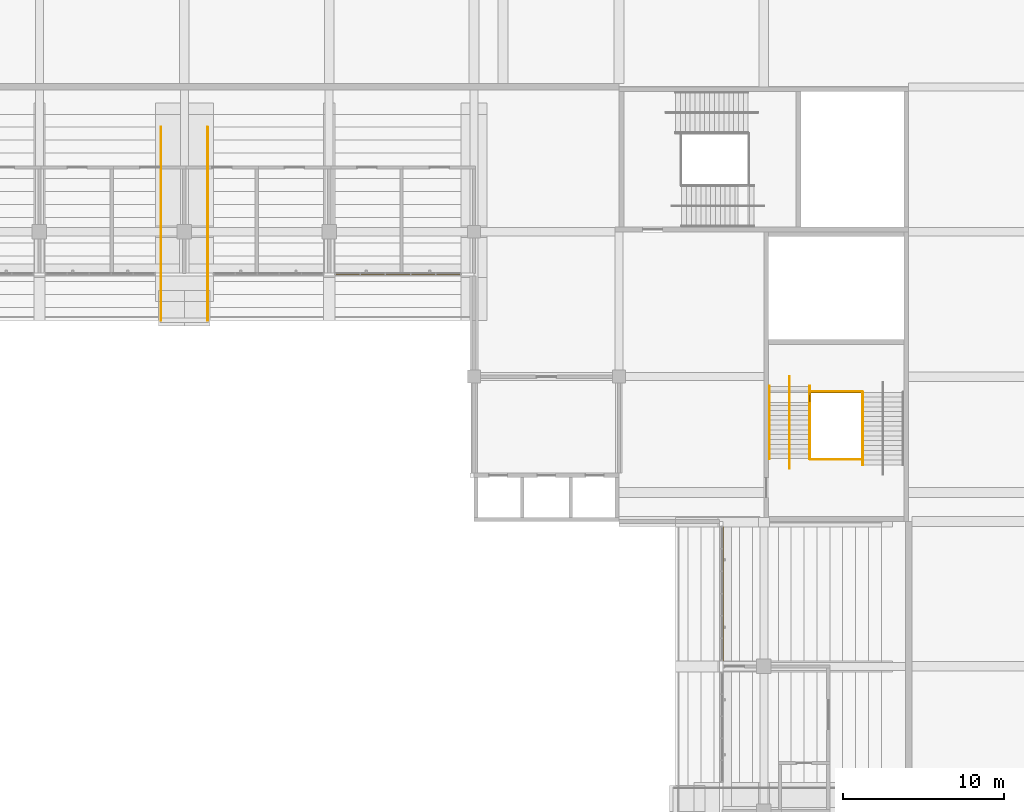
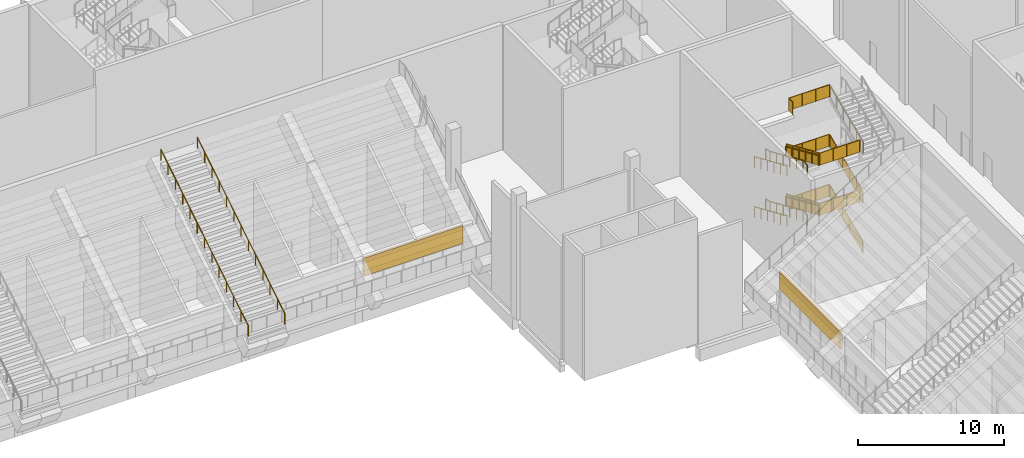
# One storey, part 164 of 182: 20 railings, 2 coverings.
"""IFC4 building model written with IfcOpenShell, lengths in metres."""

from ifc_helpers import new_model, si_unit, direction, frame, origin, origin_2d, place, context, subcontext, project, spatial, polyline, circle, outline, extrude, material, layer, layer_set, type_object, element, save


model = new_model("IFC4")

# Units and contexts
model_context = context("Model", 3, precision=1e-05, world=origin(), true_north=direction((0.0, 1.0)))
body_context = subcontext(model_context, "Body", "Model", "MODEL_VIEW")
ifc_project = project(units=[si_unit("LENGTHUNIT", "METRE"), si_unit("AREAUNIT", "SQUARE_METRE"), si_unit("VOLUMEUNIT", "CUBIC_METRE"), si_unit("PLANEANGLEUNIT", "RADIAN"), si_unit("MASSUNIT", "GRAM", prefix="KILO")], contexts=[model_context])

# Site, building, storey
site_placement = place(None, origin())
site = spatial("IfcSite", under=ifc_project, at=site_placement, CompositionType="ELEMENT")
building_placement = place(site_placement, origin())
building = spatial("IfcBuilding", under=site, at=building_placement, Name="Silverbay Arena", CompositionType="ELEMENT")
storey_placement = place(building_placement, frame((0.0, 0.0, 11.5)))
storey = spatial("IfcBuildingStorey", under=building, at=storey_placement, Name="L02", CompositionType="ELEMENT", Elevation=11.5)

# Railings
ifc_material_1 = material(Name="Stainless steel", Category="steel")
railing_type_1 = type_object("IfcRailingType", Name="Stair guard 1100", PredefinedType="GUARDRAIL", material=ifc_material_1)
railing_1_placement = place(storey_placement, frame((186.125, 102.52587890625, 0.13134765625)))
element("IfcRailing", 1, at=railing_1_placement, inside=storey, type_object=railing_type_1, Name="Stair ST-NE2 L02 to L03 flight 1 guard left", PredefinedType="GUARDRAIL", context=body_context, shape_type="SweptSolid", body=[
    extrude(circle(Radius=0.02392578125, at=origin_2d()), frame((0.0, 0.0, 1.076171875), z_axis=(0.0, 0.916157334902, 0.40081883402), x_axis=(-1.0, 0.0, 0.0)), (0.0, 0.0, 1.0), 4.911865234375),
    extrude(outline(polyline([(-0.008056640625, 0.04638671875), (0.907958984375, 0.447265625), (0.907958984375, 1.4501953125), (-0.008056640625, 1.049560546875), (-0.008056640625, 0.04638671875)])), frame((-0.0029296875, 0.0, 0.0), z_axis=(1.0, 0.0, 0.0), x_axis=(0.0, 1.0, 0.0)), (0.0, 0.0, 1.0), 0.006103515625),
    extrude(outline(polyline([(-0.008056640625, 0.440185546875), (0.907958984375, 0.841064453125), (0.907958984375, 1.843994140625), (-0.008056640625, 1.443359375), (-0.008056640625, 0.440185546875)])), frame((-0.0029296875, 0.89990234375, 0.0), z_axis=(1.0, 0.0, 0.0), x_axis=(0.0, 1.0, 0.0)), (0.0, 0.0, 1.0), 0.006103515625),
    extrude(outline(polyline([(-0.008056640625, 0.833984375), (0.907958984375, 1.23486328125), (0.907958984375, 2.23779296875), (-0.008056640625, 1.8369140625), (-0.008056640625, 0.833984375)])), frame((-0.0029296875, 1.800048828125, 0.0), z_axis=(1.0, 0.0, 0.0), x_axis=(0.0, 1.0, 0.0)), (0.0, 0.0, 1.0), 0.006103515625),
    extrude(outline(polyline([(-0.008056640625, 1.227783203125), (0.907958984375, 1.62841796875), (0.907958984375, 2.631591796875), (-0.008056640625, 2.230712890625), (-0.008056640625, 1.227783203125)])), frame((-0.0029296875, 2.699951171875, 0.0), z_axis=(1.0, 0.0, 0.0), x_axis=(0.0, 1.0, 0.0)), (0.0, 0.0, 1.0), 0.006103515625),
    extrude(outline(polyline([(-0.008056640625, 1.62158203125), (0.907958984375, 2.022216796875), (0.907958984375, 3.025146484375), (-0.008056640625, 2.62451171875), (-0.008056640625, 1.62158203125)])), frame((-0.0029296875, 3.60009765625, 0.0), z_axis=(1.0, 0.0, 0.0), x_axis=(0.0, 1.0, 0.0)), (0.0, 0.0, 1.0), 0.006103515625),
    extrude(circle(Radius=0.02099609375, at=origin_2d()), origin(), (0.0, 0.0, 1.0), 1.052001953125),
    extrude(circle(Radius=0.02099609375, at=origin_2d()), frame((0.0, 0.89990234375, 0.393798828125)), (0.0, 0.0, 1.0), 1.052001953125),
    extrude(circle(Radius=0.02099609375, at=origin_2d()), frame((0.0, 1.800048828125, 0.78759765625)), (0.0, 0.0, 1.0), 1.052001953125),
    extrude(circle(Radius=0.02099609375, at=origin_2d()), frame((0.0, 2.699951171875, 1.18115234375)), (0.0, 0.0, 1.0), 1.052001953125),
    extrude(circle(Radius=0.02099609375, at=origin_2d()), frame((0.0, 3.60009765625, 1.574951171875)), (0.0, 0.0, 1.0), 1.052001953125),
    extrude(circle(Radius=0.02099609375, at=origin_2d()), frame((0.0, 4.5, 1.96875)), (0.0, 0.0, 1.0), 1.052001953125),
])
railing_2_placement = place(storey_placement, frame((182.875, 107.39990234375, 2.231201171875)))
element("IfcRailing", 2, at=railing_2_placement, inside=storey, type_object=railing_type_1, Name="Stair ST-NE2 L02 to L03 flight 2 guard right", PredefinedType="GUARDRAIL", context=body_context, shape_type="SweptSolid", body=[
    extrude(circle(Radius=0.02392578125, at=origin_2d()), frame((0.0, 0.0, 1.076171875), z_axis=(0.0, -0.916157334902, 0.40081883402), x_axis=(1.0, 0.0, 0.0)), (0.0, 0.0, 1.0), 4.911865234375),
    extrude(outline(polyline([(-0.008056640625, 0.04638671875), (0.907958984375, 0.447265625), (0.907958984375, 1.4501953125), (-0.008056640625, 1.049560546875), (-0.008056640625, 0.04638671875)])), frame((0.0029296875, 0.0, 0.0), z_axis=(-1.0, 0.0, 0.0), x_axis=(0.0, -1.0, 0.0)), (0.0, 0.0, 1.0), 0.006103515625),
    extrude(outline(polyline([(-0.008056640625, 0.440185546875), (0.907958984375, 0.841064453125), (0.907958984375, 1.843994140625), (-0.008056640625, 1.443359375), (-0.008056640625, 0.440185546875)])), frame((0.0029296875, -0.89990234375, 0.0), z_axis=(-1.0, 0.0, 0.0), x_axis=(0.0, -1.0, 0.0)), (0.0, 0.0, 1.0), 0.006103515625),
    extrude(outline(polyline([(-0.008056640625, 0.833984375), (0.907958984375, 1.23486328125), (0.907958984375, 2.23779296875), (-0.008056640625, 1.8369140625), (-0.008056640625, 0.833984375)])), frame((0.0029296875, -1.800048828125, 0.0), z_axis=(-1.0, 0.0, 0.0), x_axis=(0.0, -1.0, 0.0)), (0.0, 0.0, 1.0), 0.006103515625),
    extrude(outline(polyline([(-0.008056640625, 1.227783203125), (0.907958984375, 1.62841796875), (0.907958984375, 2.631591796875), (-0.008056640625, 2.230712890625), (-0.008056640625, 1.227783203125)])), frame((0.0029296875, -2.699951171875, 0.0), z_axis=(-1.0, 0.0, 0.0), x_axis=(0.0, -1.0, 0.0)), (0.0, 0.0, 1.0), 0.006103515625),
    extrude(outline(polyline([(-0.008056640625, 1.62158203125), (0.907958984375, 2.022216796875), (0.907958984375, 3.025146484375), (-0.008056640625, 2.62451171875), (-0.008056640625, 1.62158203125)])), frame((0.0029296875, -3.60009765625, 0.0), z_axis=(-1.0, 0.0, 0.0), x_axis=(0.0, -1.0, 0.0)), (0.0, 0.0, 1.0), 0.006103515625),
    extrude(circle(Radius=0.02099609375, at=origin_2d()), origin(), (0.0, 0.0, 1.0), 1.052001953125),
    extrude(circle(Radius=0.02099609375, at=origin_2d()), frame((0.0, -0.89990234375, 0.393798828125)), (0.0, 0.0, 1.0), 1.052001953125),
    extrude(circle(Radius=0.02099609375, at=origin_2d()), frame((0.0, -1.800048828125, 0.78759765625)), (0.0, 0.0, 1.0), 1.052001953125),
    extrude(circle(Radius=0.02099609375, at=origin_2d()), frame((0.0, -2.699951171875, 1.18115234375)), (0.0, 0.0, 1.0), 1.052001953125),
    extrude(circle(Radius=0.02099609375, at=origin_2d()), frame((0.0, -3.60009765625, 1.574951171875)), (0.0, 0.0, 1.0), 1.052001953125),
    extrude(circle(Radius=0.02099609375, at=origin_2d()), frame((0.0, -4.5, 1.96875)), (0.0, 0.0, 1.0), 1.052001953125),
])
railing_3_placement = place(storey_placement, frame((186.125, 102.52587890625, 4.331298828125)))
element("IfcRailing", 3, at=railing_3_placement, inside=storey, type_object=railing_type_1, Name="Stair ST-NE2 L02 to L03 flight 3 guard left", PredefinedType="GUARDRAIL", context=body_context, shape_type="SweptSolid", body=[
    extrude(circle(Radius=0.02392578125, at=origin_2d()), frame((0.0, 0.0, 1.076171875), z_axis=(0.0, 0.916157334902, 0.40081883402), x_axis=(-1.0, 0.0, 0.0)), (0.0, 0.0, 1.0), 4.911865234375),
    extrude(outline(polyline([(-0.008056640625, 0.04638671875), (0.907958984375, 0.447265625), (0.907958984375, 1.4501953125), (-0.008056640625, 1.049560546875), (-0.008056640625, 0.04638671875)])), frame((-0.0029296875, 0.0, 0.0), z_axis=(1.0, 0.0, 0.0), x_axis=(0.0, 1.0, 0.0)), (0.0, 0.0, 1.0), 0.006103515625),
    extrude(outline(polyline([(-0.008056640625, 0.440185546875), (0.907958984375, 0.841064453125), (0.907958984375, 1.843994140625), (-0.008056640625, 1.443359375), (-0.008056640625, 0.440185546875)])), frame((-0.0029296875, 0.89990234375, 0.0), z_axis=(1.0, 0.0, 0.0), x_axis=(0.0, 1.0, 0.0)), (0.0, 0.0, 1.0), 0.006103515625),
    extrude(outline(polyline([(-0.008056640625, 0.833984375), (0.907958984375, 1.23486328125), (0.907958984375, 2.23779296875), (-0.008056640625, 1.8369140625), (-0.008056640625, 0.833984375)])), frame((-0.0029296875, 1.800048828125, 0.0), z_axis=(1.0, 0.0, 0.0), x_axis=(0.0, 1.0, 0.0)), (0.0, 0.0, 1.0), 0.006103515625),
    extrude(outline(polyline([(-0.008056640625, 1.227783203125), (0.907958984375, 1.62841796875), (0.907958984375, 2.631591796875), (-0.008056640625, 2.230712890625), (-0.008056640625, 1.227783203125)])), frame((-0.0029296875, 2.699951171875, 0.0), z_axis=(1.0, 0.0, 0.0), x_axis=(0.0, 1.0, 0.0)), (0.0, 0.0, 1.0), 0.006103515625),
    extrude(outline(polyline([(-0.008056640625, 1.62158203125), (0.907958984375, 2.022216796875), (0.907958984375, 3.025146484375), (-0.008056640625, 2.62451171875), (-0.008056640625, 1.62158203125)])), frame((-0.0029296875, 3.60009765625, 0.0), z_axis=(1.0, 0.0, 0.0), x_axis=(0.0, 1.0, 0.0)), (0.0, 0.0, 1.0), 0.006103515625),
    extrude(circle(Radius=0.02099609375, at=origin_2d()), origin(), (0.0, 0.0, 1.0), 1.052001953125),
    extrude(circle(Radius=0.02099609375, at=origin_2d()), frame((0.0, 0.89990234375, 0.393798828125)), (0.0, 0.0, 1.0), 1.052001953125),
    extrude(circle(Radius=0.02099609375, at=origin_2d()), frame((0.0, 1.800048828125, 0.78759765625)), (0.0, 0.0, 1.0), 1.052001953125),
    extrude(circle(Radius=0.02099609375, at=origin_2d()), frame((0.0, 2.699951171875, 1.18115234375)), (0.0, 0.0, 1.0), 1.052001953125),
    extrude(circle(Radius=0.02099609375, at=origin_2d()), frame((0.0, 3.60009765625, 1.574951171875)), (0.0, 0.0, 1.0), 1.052001953125),
    extrude(circle(Radius=0.02099609375, at=origin_2d()), frame((0.0, 4.5, 1.96875)), (0.0, 0.0, 1.0), 1.052001953125),
])
railing_4_placement = place(storey_placement, frame((182.875, 107.39990234375, 6.43115234375)))
element("IfcRailing", 4, at=railing_4_placement, inside=storey, type_object=railing_type_1, Name="Stair ST-NE2 L02 to L03 flight 4 guard right", PredefinedType="GUARDRAIL", context=body_context, shape_type="SweptSolid", body=[
    extrude(circle(Radius=0.02392578125, at=origin_2d()), frame((0.0, 0.0, 1.076171875), z_axis=(0.0, -0.916157334902, 0.40081883402), x_axis=(1.0, 0.0, 0.0)), (0.0, 0.0, 1.0), 4.911865234375),
    extrude(outline(polyline([(-0.008056640625, 0.04638671875), (0.907958984375, 0.447265625), (0.907958984375, 1.4501953125), (-0.008056640625, 1.049560546875), (-0.008056640625, 0.04638671875)])), frame((0.0029296875, 0.0, 0.0), z_axis=(-1.0, 0.0, 0.0), x_axis=(0.0, -1.0, 0.0)), (0.0, 0.0, 1.0), 0.006103515625),
    extrude(outline(polyline([(-0.008056640625, 0.440185546875), (0.907958984375, 0.841064453125), (0.907958984375, 1.843994140625), (-0.008056640625, 1.443359375), (-0.008056640625, 0.440185546875)])), frame((0.0029296875, -0.89990234375, 0.0), z_axis=(-1.0, 0.0, 0.0), x_axis=(0.0, -1.0, 0.0)), (0.0, 0.0, 1.0), 0.006103515625),
    extrude(outline(polyline([(-0.008056640625, 0.833984375), (0.907958984375, 1.23486328125), (0.907958984375, 2.23779296875), (-0.008056640625, 1.8369140625), (-0.008056640625, 0.833984375)])), frame((0.0029296875, -1.800048828125, 0.0), z_axis=(-1.0, 0.0, 0.0), x_axis=(0.0, -1.0, 0.0)), (0.0, 0.0, 1.0), 0.006103515625),
    extrude(outline(polyline([(-0.008056640625, 1.227783203125), (0.907958984375, 1.62841796875), (0.907958984375, 2.631591796875), (-0.008056640625, 2.230712890625), (-0.008056640625, 1.227783203125)])), frame((0.0029296875, -2.699951171875, 0.0), z_axis=(-1.0, 0.0, 0.0), x_axis=(0.0, -1.0, 0.0)), (0.0, 0.0, 1.0), 0.006103515625),
    extrude(outline(polyline([(-0.008056640625, 1.62158203125), (0.907958984375, 2.022216796875), (0.907958984375, 3.025146484375), (-0.008056640625, 2.62451171875), (-0.008056640625, 1.62158203125)])), frame((0.0029296875, -3.60009765625, 0.0), z_axis=(-1.0, 0.0, 0.0), x_axis=(0.0, -1.0, 0.0)), (0.0, 0.0, 1.0), 0.006103515625),
    extrude(circle(Radius=0.02099609375, at=origin_2d()), origin(), (0.0, 0.0, 1.0), 1.052001953125),
    extrude(circle(Radius=0.02099609375, at=origin_2d()), frame((0.0, -0.89990234375, 0.393798828125)), (0.0, 0.0, 1.0), 1.052001953125),
    extrude(circle(Radius=0.02099609375, at=origin_2d()), frame((0.0, -1.800048828125, 0.78759765625)), (0.0, 0.0, 1.0), 1.052001953125),
    extrude(circle(Radius=0.02099609375, at=origin_2d()), frame((0.0, -2.699951171875, 1.18115234375)), (0.0, 0.0, 1.0), 1.052001953125),
    extrude(circle(Radius=0.02099609375, at=origin_2d()), frame((0.0, -3.60009765625, 1.574951171875)), (0.0, 0.0, 1.0), 1.052001953125),
    extrude(circle(Radius=0.02099609375, at=origin_2d()), frame((0.0, -4.5, 1.96875)), (0.0, 0.0, 1.0), 1.052001953125),
])
for number, where, name in (
    (5, (182.89990234375, 107.07568359375, 2.10009765625), "Stair ST-NE2 L02 to L03 landing 1 guard"),
    (6, (182.89990234375, 102.85009765625, 4.199951171875), "Stair ST-NE2 L02 to L03 landing 2 guard"),
    (7, (182.89990234375, 107.07568359375, 6.300048828125), "Stair ST-NE2 L02 to L03 landing 3 guard"),
    (8, (182.89990234375, 102.85009765625, 8.39990234375), "Stair ST-NE2 L02 to L03 landing 4 guard"),
):
    element("IfcRailing", number, at=place(storey_placement, frame(where)), inside=storey, type_object=railing_type_1, Name=name, PredefinedType="GUARDRAIL", context=body_context, shape_type="SweptSolid", body=[
        extrude(circle(Radius=0.02392578125, at=origin_2d()), frame((0.0, 0.0, 1.076171875), z_axis=(1.0, 0.0, 0.0), x_axis=(0.0, 1.0, 0.0)), (0.0, 0.0, 1.0), 3.2001953125),
        extrude(outline(polyline([(-0.008056640625, 0.050048828125), (1.07470703125, 0.050048828125), (1.07470703125, 1.052978515625), (-0.008056640625, 1.052978515625), (-0.008056640625, 0.050048828125)])), frame((0.0, 0.0029296875, 0.0), z_axis=(0.0, -1.0, 0.0), x_axis=(1.0, 0.0, 0.0)), (0.0, 0.0, 1.0), 0.006103515625),
        extrude(outline(polyline([(-0.008056640625, 0.050048828125), (1.07470703125, 0.050048828125), (1.07470703125, 1.052978515625), (-0.008056640625, 1.052978515625), (-0.008056640625, 0.050048828125)])), frame((1.066650390625, 0.0029296875, 0.0), z_axis=(0.0, -1.0, 0.0), x_axis=(1.0, 0.0, 0.0)), (0.0, 0.0, 1.0), 0.006103515625),
        extrude(outline(polyline([(-0.008056640625, 0.050048828125), (1.07470703125, 0.050048828125), (1.07470703125, 1.052978515625), (-0.008056640625, 1.052978515625), (-0.008056640625, 0.050048828125)])), frame((2.133544921875, 0.0029296875, 0.0), z_axis=(0.0, -1.0, 0.0), x_axis=(1.0, 0.0, 0.0)), (0.0, 0.0, 1.0), 0.006103515625),
        extrude(circle(Radius=0.02099609375, at=origin_2d()), origin(), (0.0, 0.0, 1.0), 1.052001953125),
        extrude(circle(Radius=0.02099609375, at=origin_2d()), frame((1.066650390625, 0.0, 0.0)), (0.0, 0.0, 1.0), 1.052001953125),
        extrude(circle(Radius=0.02099609375, at=origin_2d()), frame((2.133544921875, 0.0, 0.0)), (0.0, 0.0, 1.0), 1.052001953125),
        extrude(circle(Radius=0.02099609375, at=origin_2d()), frame((3.2001953125, 0.0, 0.0)), (0.0, 0.0, 1.0), 1.052001953125),
    ])
railing_5_placement = place(storey_placement, frame((182.85009765625, 106.449951171875, 10.5)))
element("IfcRailing", 9, at=railing_5_placement, inside=storey, type_object=railing_type_1, Name="Stair ST-NE2 L02 to L03 landing 5 guard", PredefinedType="GUARDRAIL", context=body_context, shape_type="SweptSolid", body=[
    extrude(circle(Radius=0.02392578125, at=origin_2d()), frame((0.0, 0.0, 1.076171875), z_axis=(0.0, 1.0, 0.0), x_axis=(-1.0, 0.0, 0.0)), (0.0, 0.0, 1.0), 0.575927734375),
    extrude(outline(polyline([(-0.008056640625, 0.050048828125), (0.583984375, 0.050048828125), (0.583984375, 1.052978515625), (-0.008056640625, 1.052978515625), (-0.008056640625, 0.050048828125)])), frame((-0.0029296875, 0.0, 0.0), z_axis=(1.0, 0.0, 0.0), x_axis=(0.0, 1.0, 0.0)), (0.0, 0.0, 1.0), 0.006103515625),
    extrude(circle(Radius=0.02392578125, at=origin_2d()), frame((0.0, 0.575927734375, 1.076171875), z_axis=(1.0, 0.0, 0.0), x_axis=(0.0, 1.0, 0.0)), (0.0, 0.0, 1.0), 3.25),
    extrude(outline(polyline([(-0.008056640625, 0.050048828125), (1.09130859375, 0.050048828125), (1.09130859375, 1.052978515625), (-0.008056640625, 1.052978515625), (-0.008056640625, 0.050048828125)])), frame((0.0, 0.578857421875, 0.0), z_axis=(0.0, -1.0, 0.0), x_axis=(1.0, 0.0, 0.0)), (0.0, 0.0, 1.0), 0.006103515625),
    extrude(outline(polyline([(-0.008056640625, 0.050048828125), (1.09130859375, 0.050048828125), (1.09130859375, 1.052978515625), (-0.008056640625, 1.052978515625), (-0.008056640625, 0.050048828125)])), frame((1.083251953125, 0.578857421875, 0.0), z_axis=(0.0, -1.0, 0.0), x_axis=(1.0, 0.0, 0.0)), (0.0, 0.0, 1.0), 0.006103515625),
    extrude(outline(polyline([(-0.008056640625, 0.050048828125), (1.09130859375, 0.050048828125), (1.09130859375, 1.052978515625), (-0.008056640625, 1.052978515625), (-0.008056640625, 0.050048828125)])), frame((2.166748046875, 0.578857421875, 0.0), z_axis=(0.0, -1.0, 0.0), x_axis=(1.0, 0.0, 0.0)), (0.0, 0.0, 1.0), 0.006103515625),
    extrude(circle(Radius=0.02099609375, at=origin_2d()), origin(), (0.0, 0.0, 1.0), 1.052001953125),
    extrude(circle(Radius=0.02099609375, at=origin_2d()), frame((0.0, 0.575927734375, 0.0)), (0.0, 0.0, 1.0), 1.052001953125),
    extrude(circle(Radius=0.02099609375, at=origin_2d()), frame((1.083251953125, 0.575927734375, 0.0)), (0.0, 0.0, 1.0), 1.052001953125),
    extrude(circle(Radius=0.02099609375, at=origin_2d()), frame((2.166748046875, 0.575927734375, 0.0)), (0.0, 0.0, 1.0), 1.052001953125),
    extrude(circle(Radius=0.02099609375, at=origin_2d()), frame((3.25, 0.575927734375, 0.0)), (0.0, 0.0, 1.0), 1.052001953125),
])
ifc_material_2 = material(Name="Stainless steel", Category="steel")
railing_type_2 = type_object("IfcRailingType", Name="Stair handrail 900", PredefinedType="HANDRAIL", material=ifc_material_2)
railing_6_placement = place(storey_placement, frame((186.1640625, 102.52587890625, 0.13134765625)))
element("IfcRailing", 10, at=railing_6_placement, inside=storey, type_object=railing_type_2, Name="Stair ST-NE2 L02 to L03 flight 1 handrail left", PredefinedType="HANDRAIL", context=body_context, shape_type="SweptSolid", body=[
    extrude(circle(Radius=0.02392578125, at=origin_2d()), frame((0.0, 0.0, 0.8759765625), z_axis=(0.0, 0.916157334902, 0.40081883402), x_axis=(-1.0, 0.0, 0.0)), (0.0, 0.0, 1.0), 4.911865234375),
    extrude(circle(Radius=0.02099609375, at=origin_2d()), origin(), (0.0, 0.0, 1.0), 0.851806640625),
    extrude(circle(Radius=0.02099609375, at=origin_2d()), frame((0.0, 0.89990234375, 0.393798828125)), (0.0, 0.0, 1.0), 0.851806640625),
    extrude(circle(Radius=0.02099609375, at=origin_2d()), frame((0.0, 1.800048828125, 0.78759765625)), (0.0, 0.0, 1.0), 0.851806640625),
    extrude(circle(Radius=0.02099609375, at=origin_2d()), frame((0.0, 2.699951171875, 1.18115234375)), (0.0, 0.0, 1.0), 0.851806640625),
    extrude(circle(Radius=0.02099609375, at=origin_2d()), frame((0.0, 3.60009765625, 1.574951171875)), (0.0, 0.0, 1.0), 0.851806640625),
    extrude(circle(Radius=0.02099609375, at=origin_2d()), frame((0.0, 4.5, 1.96875)), (0.0, 0.0, 1.0), 0.851806640625),
])
for number, where, name in (
    (11, (180.35009765625, 107.39990234375, 2.231201171875), "Stair ST-NE2 L02 to L03 flight 2 handrail left"),
    (12, (182.8359375, 107.39990234375, 2.231201171875), "Stair ST-NE2 L02 to L03 flight 2 handrail right"),
):
    element("IfcRailing", number, at=place(storey_placement, frame(where)), inside=storey, type_object=railing_type_2, Name=name, PredefinedType="HANDRAIL", context=body_context, shape_type="SweptSolid", body=[
        extrude(circle(Radius=0.02392578125, at=origin_2d()), frame((0.0, 0.0, 0.8759765625), z_axis=(0.0, -0.916157334902, 0.40081883402), x_axis=(1.0, 0.0, 0.0)), (0.0, 0.0, 1.0), 4.911865234375),
        extrude(circle(Radius=0.02099609375, at=origin_2d()), origin(), (0.0, 0.0, 1.0), 0.851806640625),
        extrude(circle(Radius=0.02099609375, at=origin_2d()), frame((0.0, -0.89990234375, 0.393798828125)), (0.0, 0.0, 1.0), 0.851806640625),
        extrude(circle(Radius=0.02099609375, at=origin_2d()), frame((0.0, -1.800048828125, 0.78759765625)), (0.0, 0.0, 1.0), 0.851806640625),
        extrude(circle(Radius=0.02099609375, at=origin_2d()), frame((0.0, -2.699951171875, 1.18115234375)), (0.0, 0.0, 1.0), 0.851806640625),
        extrude(circle(Radius=0.02099609375, at=origin_2d()), frame((0.0, -3.60009765625, 1.574951171875)), (0.0, 0.0, 1.0), 0.851806640625),
        extrude(circle(Radius=0.02099609375, at=origin_2d()), frame((0.0, -4.5, 1.96875)), (0.0, 0.0, 1.0), 0.851806640625),
    ])
railing_7_placement = place(storey_placement, frame((181.60009765625, 108.0, 2.10009765625)))
element("IfcRailing", 13, at=railing_7_placement, inside=storey, type_object=railing_type_2, Name="Stair ST-NE2 L02 to L03 flight 2 central handrail", PredefinedType="HANDRAIL", context=body_context, shape_type="SweptSolid", body=[
    extrude(circle(Radius=0.02392578125, at=origin_2d()), frame((0.0, 0.0, 0.8759765625), z_axis=(0.0, -0.976957027196, 0.213436095852), x_axis=(1.0, 0.0, 0.0)), (0.0, 0.0, 1.0), 0.6142578125),
    extrude(circle(Radius=0.02392578125, at=origin_2d()), frame((0.0, -0.60009765625, 1.0068359375), z_axis=(0.0, -0.916157334902, 0.40081883402), x_axis=(1.0, 0.0, 0.0)), (0.0, 0.0, 1.0), 4.911865234375),
    extrude(circle(Radius=0.02392578125, at=origin_2d()), frame((0.0, -5.10009765625, 2.9755859375), z_axis=(0.0, -1.0, 0.0), x_axis=(1.0, 0.0, 0.0)), (0.0, 0.0, 1.0), 0.599853515625),
    extrude(circle(Radius=0.02099609375, at=origin_2d()), origin(), (0.0, 0.0, 1.0), 0.851806640625),
    extrude(circle(Radius=0.02099609375, at=origin_2d()), frame((0.0, -0.60009765625, 0.131103515625)), (0.0, 0.0, 1.0), 0.851806640625),
    extrude(circle(Radius=0.02099609375, at=origin_2d()), frame((0.0, -1.5, 0.52490234375)), (0.0, 0.0, 1.0), 0.851806640625),
    extrude(circle(Radius=0.02099609375, at=origin_2d()), frame((0.0, -2.400146484375, 0.918701171875)), (0.0, 0.0, 1.0), 0.851806640625),
    extrude(circle(Radius=0.02099609375, at=origin_2d()), frame((0.0, -3.300048828125, 1.312255859375)), (0.0, 0.0, 1.0), 0.851806640625),
    extrude(circle(Radius=0.02099609375, at=origin_2d()), frame((0.0, -4.2001953125, 1.7060546875)), (0.0, 0.0, 1.0), 0.851806640625),
    extrude(circle(Radius=0.02099609375, at=origin_2d()), frame((0.0, -5.10009765625, 2.099853515625)), (0.0, 0.0, 1.0), 0.851806640625),
    extrude(circle(Radius=0.02099609375, at=origin_2d()), frame((0.0, -5.699951171875, 2.099853515625)), (0.0, 0.0, 1.0), 0.851806640625),
])
railing_8_placement = place(storey_placement, frame((186.1640625, 102.52587890625, 4.331298828125)))
element("IfcRailing", 14, at=railing_8_placement, inside=storey, type_object=railing_type_2, Name="Stair ST-NE2 L02 to L03 flight 3 handrail left", PredefinedType="HANDRAIL", context=body_context, shape_type="SweptSolid", body=[
    extrude(circle(Radius=0.02392578125, at=origin_2d()), frame((0.0, 0.0, 0.8759765625), z_axis=(0.0, 0.916157334902, 0.40081883402), x_axis=(-1.0, 0.0, 0.0)), (0.0, 0.0, 1.0), 4.911865234375),
    extrude(circle(Radius=0.02099609375, at=origin_2d()), origin(), (0.0, 0.0, 1.0), 0.851806640625),
    extrude(circle(Radius=0.02099609375, at=origin_2d()), frame((0.0, 0.89990234375, 0.393798828125)), (0.0, 0.0, 1.0), 0.851806640625),
    extrude(circle(Radius=0.02099609375, at=origin_2d()), frame((0.0, 1.800048828125, 0.78759765625)), (0.0, 0.0, 1.0), 0.851806640625),
    extrude(circle(Radius=0.02099609375, at=origin_2d()), frame((0.0, 2.699951171875, 1.18115234375)), (0.0, 0.0, 1.0), 0.851806640625),
    extrude(circle(Radius=0.02099609375, at=origin_2d()), frame((0.0, 3.60009765625, 1.574951171875)), (0.0, 0.0, 1.0), 0.851806640625),
    extrude(circle(Radius=0.02099609375, at=origin_2d()), frame((0.0, 4.5, 1.96875)), (0.0, 0.0, 1.0), 0.851806640625),
])
for number, where, name in (
    (15, (180.35009765625, 107.39990234375, 6.43115234375), "Stair ST-NE2 L02 to L03 flight 4 handrail left"),
    (16, (182.8359375, 107.39990234375, 6.43115234375), "Stair ST-NE2 L02 to L03 flight 4 handrail right"),
):
    element("IfcRailing", number, at=place(storey_placement, frame(where)), inside=storey, type_object=railing_type_2, Name=name, PredefinedType="HANDRAIL", context=body_context, shape_type="SweptSolid", body=[
        extrude(circle(Radius=0.02392578125, at=origin_2d()), frame((0.0, 0.0, 0.8759765625), z_axis=(0.0, -0.916157334902, 0.40081883402), x_axis=(1.0, 0.0, 0.0)), (0.0, 0.0, 1.0), 4.911865234375),
        extrude(circle(Radius=0.02099609375, at=origin_2d()), origin(), (0.0, 0.0, 1.0), 0.851806640625),
        extrude(circle(Radius=0.02099609375, at=origin_2d()), frame((0.0, -0.89990234375, 0.393798828125)), (0.0, 0.0, 1.0), 0.851806640625),
        extrude(circle(Radius=0.02099609375, at=origin_2d()), frame((0.0, -1.800048828125, 0.78759765625)), (0.0, 0.0, 1.0), 0.851806640625),
        extrude(circle(Radius=0.02099609375, at=origin_2d()), frame((0.0, -2.699951171875, 1.18115234375)), (0.0, 0.0, 1.0), 0.851806640625),
        extrude(circle(Radius=0.02099609375, at=origin_2d()), frame((0.0, -3.60009765625, 1.574951171875)), (0.0, 0.0, 1.0), 0.851806640625),
        extrude(circle(Radius=0.02099609375, at=origin_2d()), frame((0.0, -4.5, 1.96875)), (0.0, 0.0, 1.0), 0.851806640625),
    ])
railing_9_placement = place(storey_placement, frame((181.60009765625, 108.0, 6.300048828125)))
element("IfcRailing", 17, at=railing_9_placement, inside=storey, type_object=railing_type_2, Name="Stair ST-NE2 L02 to L03 flight 4 central handrail", PredefinedType="HANDRAIL", context=body_context, shape_type="SweptSolid", body=[
    extrude(circle(Radius=0.02392578125, at=origin_2d()), frame((0.0, 0.0, 0.8759765625), z_axis=(0.0, -0.976957027196, 0.213436095852), x_axis=(1.0, 0.0, 0.0)), (0.0, 0.0, 1.0), 0.6142578125),
    extrude(circle(Radius=0.02392578125, at=origin_2d()), frame((0.0, -0.60009765625, 1.0068359375), z_axis=(0.0, -0.916157334902, 0.40081883402), x_axis=(1.0, 0.0, 0.0)), (0.0, 0.0, 1.0), 4.911865234375),
    extrude(circle(Radius=0.02392578125, at=origin_2d()), frame((0.0, -5.10009765625, 2.9755859375), z_axis=(0.0, -1.0, 0.0), x_axis=(1.0, 0.0, 0.0)), (0.0, 0.0, 1.0), 0.599853515625),
    extrude(circle(Radius=0.02099609375, at=origin_2d()), origin(), (0.0, 0.0, 1.0), 0.851806640625),
    extrude(circle(Radius=0.02099609375, at=origin_2d()), frame((0.0, -0.60009765625, 0.131103515625)), (0.0, 0.0, 1.0), 0.851806640625),
    extrude(circle(Radius=0.02099609375, at=origin_2d()), frame((0.0, -1.5, 0.52490234375)), (0.0, 0.0, 1.0), 0.851806640625),
    extrude(circle(Radius=0.02099609375, at=origin_2d()), frame((0.0, -2.400146484375, 0.918701171875)), (0.0, 0.0, 1.0), 0.851806640625),
    extrude(circle(Radius=0.02099609375, at=origin_2d()), frame((0.0, -3.300048828125, 1.312255859375)), (0.0, 0.0, 1.0), 0.851806640625),
    extrude(circle(Radius=0.02099609375, at=origin_2d()), frame((0.0, -4.2001953125, 1.7060546875)), (0.0, 0.0, 1.0), 0.851806640625),
    extrude(circle(Radius=0.02099609375, at=origin_2d()), frame((0.0, -5.10009765625, 2.099853515625)), (0.0, 0.0, 1.0), 0.851806640625),
    extrude(circle(Radius=0.02099609375, at=origin_2d()), frame((0.0, -5.699951171875, 2.099853515625)), (0.0, 0.0, 1.0), 0.851806640625),
])
railing_10_placement = place(storey_placement, frame((186.1640625, 102.52587890625, 8.53125)))
element("IfcRailing", 18, at=railing_10_placement, inside=storey, type_object=railing_type_2, Name="Stair ST-NE2 L02 to L03 flight 5 handrail left", PredefinedType="HANDRAIL", context=body_context, shape_type="SweptSolid", body=[
    extrude(circle(Radius=0.02392578125, at=origin_2d()), frame((0.0, 0.0, 0.8759765625), z_axis=(0.0, 0.916157334902, 0.40081883402), x_axis=(-1.0, 0.0, 0.0)), (0.0, 0.0, 1.0), 4.911865234375),
    extrude(circle(Radius=0.02099609375, at=origin_2d()), origin(), (0.0, 0.0, 1.0), 0.851806640625),
    extrude(circle(Radius=0.02099609375, at=origin_2d()), frame((0.0, 0.89990234375, 0.393798828125)), (0.0, 0.0, 1.0), 0.851806640625),
    extrude(circle(Radius=0.02099609375, at=origin_2d()), frame((0.0, 1.800048828125, 0.78759765625)), (0.0, 0.0, 1.0), 0.851806640625),
    extrude(circle(Radius=0.02099609375, at=origin_2d()), frame((0.0, 2.699951171875, 1.18115234375)), (0.0, 0.0, 1.0), 0.851806640625),
    extrude(circle(Radius=0.02099609375, at=origin_2d()), frame((0.0, 3.60009765625, 1.574951171875)), (0.0, 0.0, 1.0), 0.851806640625),
    extrude(circle(Radius=0.02099609375, at=origin_2d()), frame((0.0, 4.5, 1.96875)), (0.0, 0.0, 1.0), 0.851806640625),
])
for number, where, name in (
    (19, (142.550048828125, 111.5, 3.0), "Vomitory stair V08 handrail left"),
    (20, (145.449951171875, 111.5, 3.0), "Vomitory stair V08 handrail right"),
):
    element("IfcRailing", number, at=place(storey_placement, frame(where)), inside=storey, type_object=railing_type_2, Name=name, PredefinedType="HANDRAIL", context=body_context, shape_type="SweptSolid", body=[
        extrude(circle(Radius=0.02392578125, at=origin_2d()), frame((0.0, 0.0, 0.8759765625), z_axis=(0.0, 0.847998304005, 0.529998940003), x_axis=(-1.0, 0.0, 0.0)), (0.0, 0.0, 1.0), 14.15087890625),
        extrude(circle(Radius=0.02099609375, at=origin_2d()), origin(), (0.0, 0.0, 1.0), 0.851806640625),
        extrude(circle(Radius=0.02099609375, at=origin_2d()), frame((0.0, 1.0, 0.625)), (0.0, 0.0, 1.0), 0.851806640625),
        extrude(circle(Radius=0.02099609375, at=origin_2d()), frame((0.0, 2.0, 1.25)), (0.0, 0.0, 1.0), 0.851806640625),
        extrude(circle(Radius=0.02099609375, at=origin_2d()), frame((0.0, 3.0, 1.875)), (0.0, 0.0, 1.0), 0.851806640625),
        extrude(circle(Radius=0.02099609375, at=origin_2d()), frame((0.0, 4.0, 2.5)), (0.0, 0.0, 1.0), 0.851806640625),
        extrude(circle(Radius=0.02099609375, at=origin_2d()), frame((0.0, 5.0, 3.125)), (0.0, 0.0, 1.0), 0.851806640625),
        extrude(circle(Radius=0.02099609375, at=origin_2d()), frame((0.0, 6.0, 3.75)), (0.0, 0.0, 1.0), 0.851806640625),
        extrude(circle(Radius=0.02099609375, at=origin_2d()), frame((0.0, 7.0, 4.375)), (0.0, 0.0, 1.0), 0.851806640625),
        extrude(circle(Radius=0.02099609375, at=origin_2d()), frame((0.0, 8.0, 5.0)), (0.0, 0.0, 1.0), 0.851806640625),
        extrude(circle(Radius=0.02099609375, at=origin_2d()), frame((0.0, 9.0, 5.625)), (0.0, 0.0, 1.0), 0.851806640625),
        extrude(circle(Radius=0.02099609375, at=origin_2d()), frame((0.0, 10.0, 6.25)), (0.0, 0.0, 1.0), 0.851806640625),
        extrude(circle(Radius=0.02099609375, at=origin_2d()), frame((0.0, 11.0, 6.875)), (0.0, 0.0, 1.0), 0.851806640625),
        extrude(circle(Radius=0.02099609375, at=origin_2d()), frame((0.0, 12.0, 7.5)), (0.0, 0.0, 1.0), 0.851806640625),
    ])

# Coverings
ifc_material_3 = material(Name="Aluminium composite cladding", Category="aluminium")
ifc_layer = layer(ifc_material_3, 0.199951171875)
ifc_layer_set = layer_set([ifc_layer], Name="Aluminium composite cladding")
covering_type = type_object("IfcCoveringType", Name="Suite front fascia cladding 200", PredefinedType="CLADDING", material=ifc_layer_set)
covering_1_placement = place(storey_placement, frame((0.0, 0.0, 2.537109375)))
element("IfcCovering", 21, at=covering_1_placement, inside=storey, type_object=covering_type, Name="East suite front fascia 4", PredefinedType="CLADDING", context=body_context, shape_type="SweptSolid", body=[
    extrude(outline(polyline([(177.300048828125, 90.35009765625), (177.300048828125, 98.699951171875), (177.5, 98.699951171875), (177.5, 90.35009765625), (177.300048828125, 90.35009765625)])), origin(), (0.0, 0.0, 1.0), 1.496826171875),
])
covering_2_placement = place(storey_placement, frame((0.0, 0.0, 2.537109375)))
element("IfcCovering", 22, at=covering_2_placement, inside=storey, type_object=covering_type, Name="North suite front fascia 7", PredefinedType="CLADDING", context=body_context, shape_type="SweptSolid", body=[
    extrude(outline(polyline([(153.35009765625, 114.5), (161.199951171875, 114.5), (161.199951171875, 114.300048828125), (153.35009765625, 114.300048828125), (153.35009765625, 114.5)])), origin(), (0.0, 0.0, 1.0), 1.496826171875),
])

save(model, "model.ifc")
